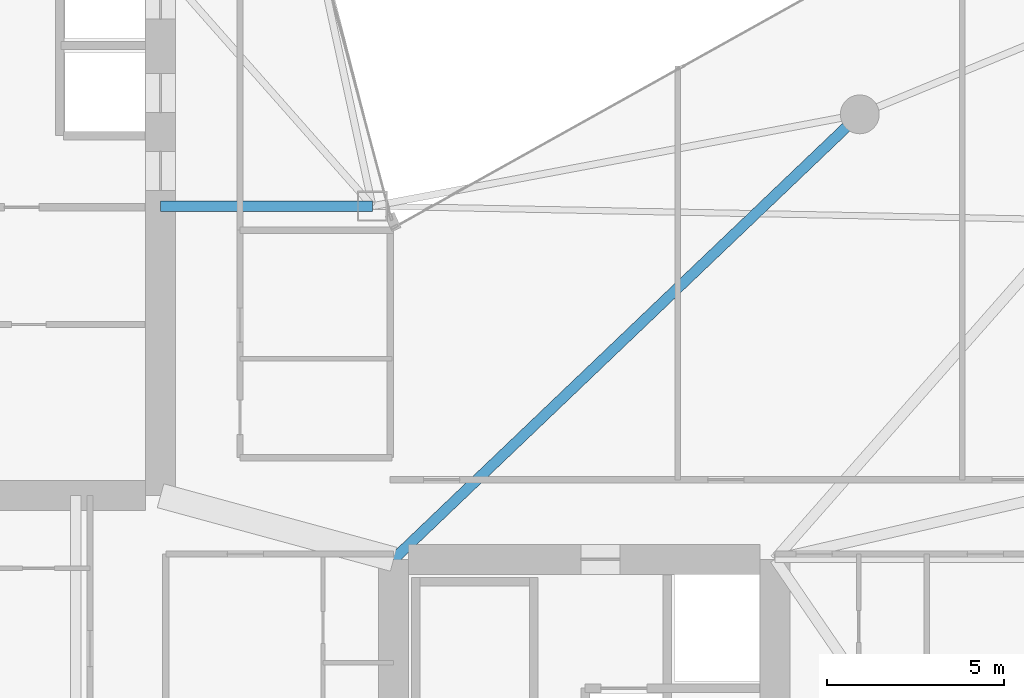
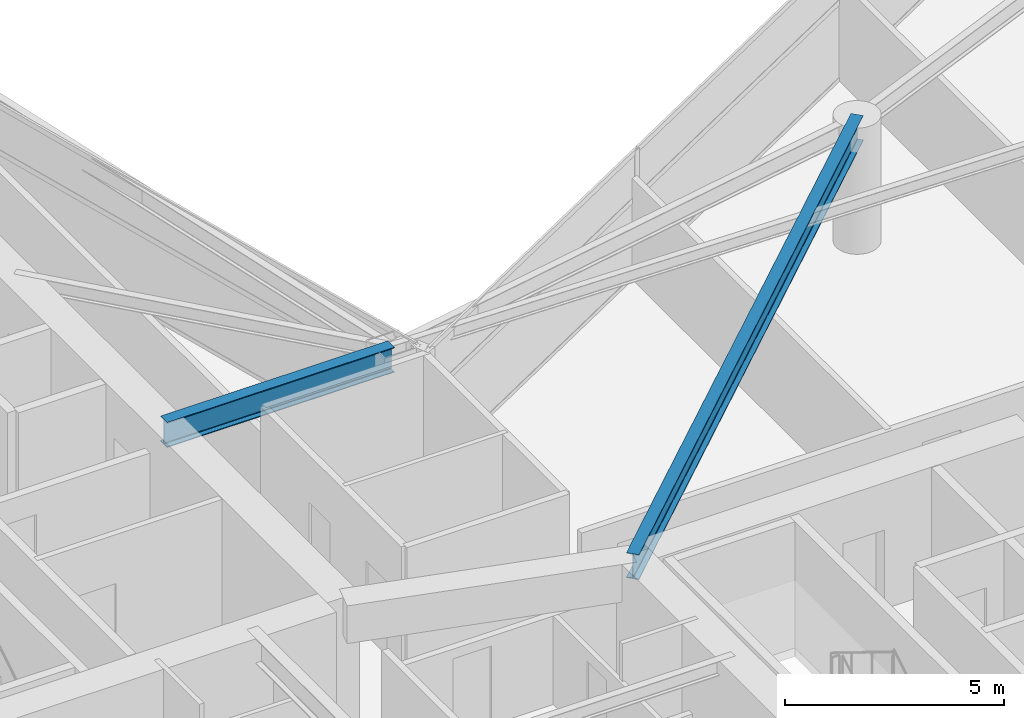
# One storey, part 9 of 28: 2 beams.
"""IFC4 building model written with IfcOpenShell, lengths in metres."""

from ifc_helpers import new_model, si_unit, direction, frame, origin, origin_2d, place, context, subcontext, project, spatial, i_section, extrude, material, material_profile, profile_set, type_object, element, save


model = new_model("IFC4")

# Units and contexts
model_context = context("Model", 3, precision=1e-05, world=origin(), true_north=direction((0.0, 1.0)))
body_context = subcontext(model_context, "Body", "Model", "MODEL_VIEW")
ifc_project = project(units=[si_unit("LENGTHUNIT", "METRE"), si_unit("AREAUNIT", "SQUARE_METRE"), si_unit("VOLUMEUNIT", "CUBIC_METRE"), si_unit("PLANEANGLEUNIT", "RADIAN"), si_unit("MASSUNIT", "GRAM", prefix="KILO")], contexts=[model_context])

# Site, building, storey
site_placement = place(None, origin())
site = spatial("IfcSite", under=ifc_project, at=site_placement, CompositionType="ELEMENT")
building_placement = place(site_placement, origin())
building = spatial("IfcBuilding", under=site, at=building_placement, Name="Calvorn Quay Hotel", CompositionType="ELEMENT")
storey_placement = place(building_placement, frame((0.0, 0.0, 135.39990234375)))
storey = spatial("IfcBuildingStorey", under=building, at=storey_placement, Name="L33", CompositionType="ELEMENT", Elevation=135.39990234375)

# Beams
ifc_material = material(Name="Steel Q390GJC", Category="steel")
ifc_material_profile = material_profile(ifc_material, i_section(OverallWidth=0.300048828125, OverallDepth=0.699951171875, WebThickness=0.012939453125, FlangeThickness=0.02392578125, FilletRadius=0.02392578125, at=origin_2d()), Name="HN700x300x13x24")
ifc_profile_set = profile_set([ifc_material_profile], Name="Steel Q390GJC")
beam_type = type_object("IfcBeamType", Name="BM-GIRD-MAIN", PredefinedType="BEAM", material=ifc_profile_set)
beam_1_placement = place(storey_placement, frame((21.0, 25.0, 3.170166015625), z_axis=(-1.0, 0.0, 0.0), x_axis=(0.0, -1.0, 0.0)))
element("IfcBeam", 1, at=beam_1_placement, inside=storey, type_object=beam_type, Name="Beam BG-L33-W7", PredefinedType="BEAM", context=body_context, shape_type="SweptSolid", body=[
    extrude(i_section(OverallWidth=0.300048828125, OverallDepth=0.699951171875, WebThickness=0.012939453125, FlangeThickness=0.02392578125, FilletRadius=0.02392578125, at=origin_2d()), origin(), (0.0, 0.0, 1.0), 6.0),
])
beam_2_placement = place(storey_placement, frame((21.60009765625, 15.0, 3.170166015625), z_axis=(0.723351595578, 0.690479883252, 0.0), x_axis=(-0.690479883252, 0.723351595578, 0.0)))
element("IfcBeam", 2, at=beam_2_placement, inside=storey, type_object=beam_type, Name="Beam BG-L33-E4", PredefinedType="BEAM", context=body_context, shape_type="SweptSolid", body=[
    extrude(i_section(OverallWidth=0.300048828125, OverallDepth=0.699951171875, WebThickness=0.012939453125, FlangeThickness=0.02392578125, FilletRadius=0.02392578125, at=origin_2d()), origin(), (0.0, 0.0, 1.0), 18.248291015625),
])

save(model, "model.ifc")
